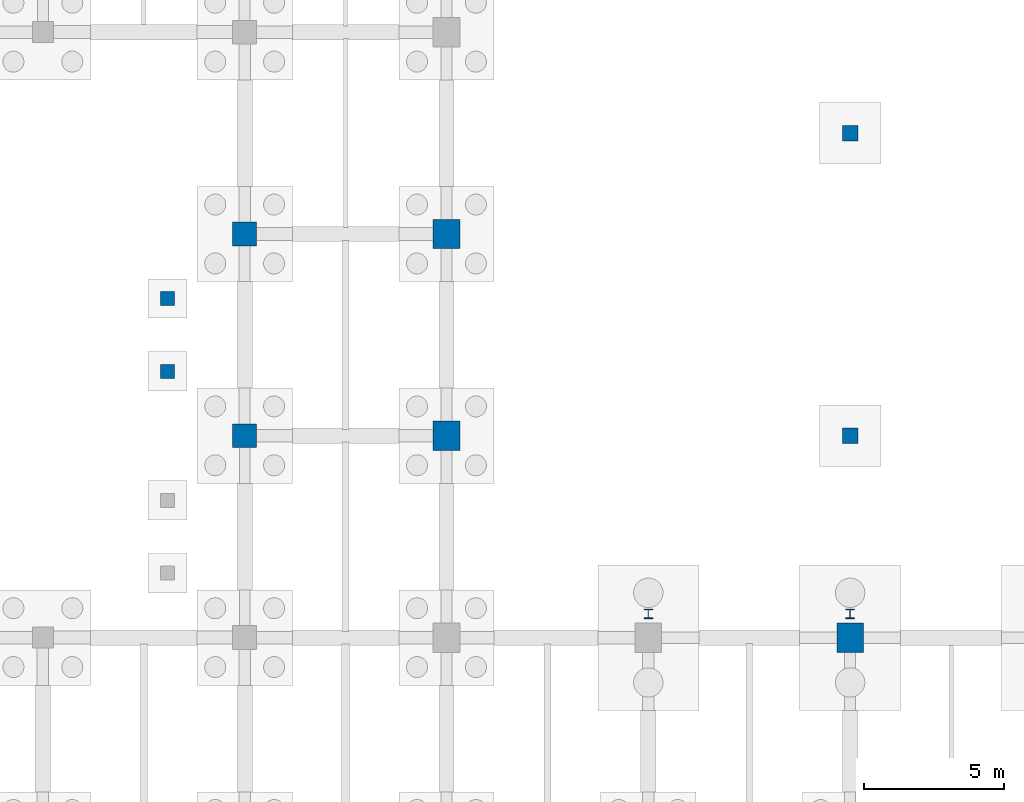
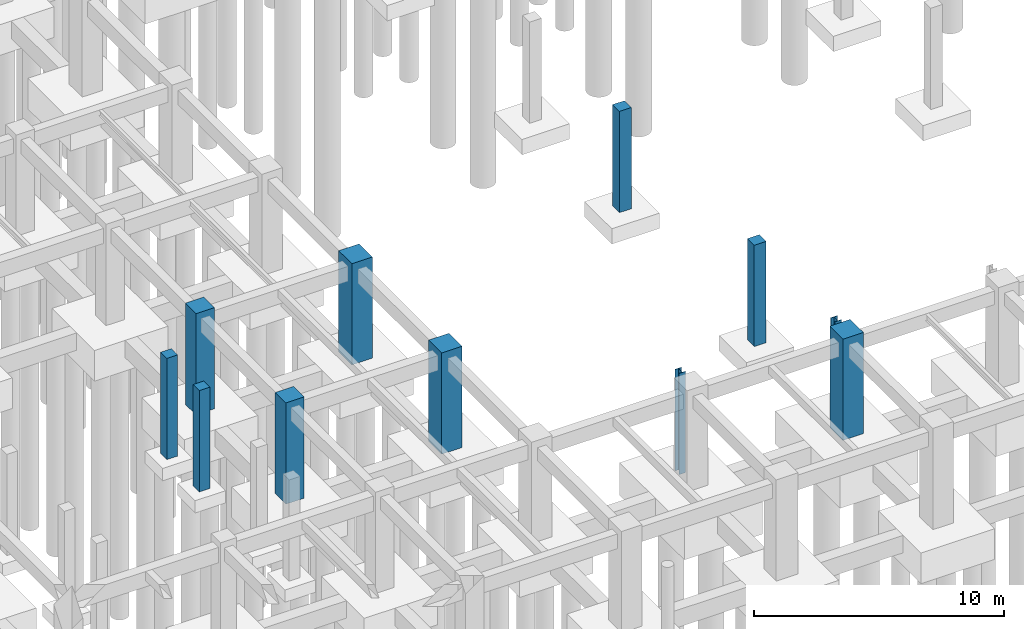
# One storey, part 15 of 47: 11 columns.
"""IFC4 building model written with IfcOpenShell, lengths in metres."""

from ifc_helpers import new_model, si_unit, direction, frame, origin, origin_2d, place, context, subcontext, project, spatial, rectangle, i_section, extrude, material, material_profile, profile_set, type_object, element, save


model = new_model("IFC4")

# Units and contexts
model_context = context("Model", 3, precision=1e-05, world=origin(), true_north=direction((0.0, 1.0)))
body_context = subcontext(model_context, "Body", "Model", "MODEL_VIEW")
ifc_project = project(units=[si_unit("LENGTHUNIT", "METRE"), si_unit("AREAUNIT", "SQUARE_METRE"), si_unit("VOLUMEUNIT", "CUBIC_METRE"), si_unit("PLANEANGLEUNIT", "RADIAN"), si_unit("MASSUNIT", "GRAM", prefix="KILO")], contexts=[model_context])

# Site, building, storey
site_placement = place(None, origin())
site = spatial("IfcSite", under=ifc_project, at=site_placement, CompositionType="ELEMENT")
building_placement = place(site_placement, origin())
building = spatial("IfcBuilding", under=site, at=building_placement, Name="Thalmaran Polytechnic", CompositionType="ELEMENT")
storey_placement = place(building_placement, frame((0.0, 0.0, -4.5)))
storey = spatial("IfcBuildingStorey", under=building, at=storey_placement, Name="B1", CompositionType="ELEMENT", Elevation=-4.5)

# Columns
ifc_material_1 = material(Name="Concrete C50/60", Category="concrete")
ifc_material_profile_1 = material_profile(ifc_material_1, rectangle(XDim=0.85009765625, YDim=0.85009765625, at=origin_2d()), Name="RC 850x850")
ifc_profile_set_1 = profile_set([ifc_material_profile_1], Name="Concrete C50/60")
column_type_1 = type_object("IfcColumnType", Name="COL-C02", PredefinedType="COLUMN", material=ifc_profile_set_1)
for number, where, z_axis, x_axis, name in (
    (1, (100.800048828125, 14.39990234375, -0.449951171875), (0.0, 0.0, 1.0), (1.0, 0.0, 0.0), "Column C02 B1 (14,2)"),
    (2, (100.800048828125, 21.60009765625, -0.449951171875), (0.0, 0.0, 1.0), (1.0, 0.0, 0.0), "Column C02 B1 (14,3)"),
):
    element("IfcColumn", number, at=place(storey_placement, frame(where, z_axis=z_axis, x_axis=x_axis)), inside=storey, type_object=column_type_1, Name=name, PredefinedType="COLUMN", context=body_context, shape_type="SweptSolid", body=[
        extrude(rectangle(XDim=0.85009765625, YDim=0.85009765625, at=origin_2d()), origin(), (0.0, 0.0, 1.0), 4.949951171875),
    ])
ifc_material_2 = material(Name="Concrete C40/50", Category="concrete")
ifc_material_profile_2 = material_profile(ifc_material_2, rectangle(XDim=0.550048828125, YDim=0.550048828125, at=origin_2d()), Name="RC 550x550")
ifc_profile_set_2 = profile_set([ifc_material_profile_2], Name="Concrete C40/50")
column_type_2 = type_object("IfcColumnType", Name="COL-C08", PredefinedType="COLUMN", material=ifc_profile_set_2)
for number, where, z_axis, x_axis, name in (
    (3, (122.39990234375, 14.39990234375, -0.449951171875), (0.0, 0.0, 1.0), (1.0, 0.0, 0.0), "POD1 Foundation Pedestal"),
    (4, (122.39990234375, 25.199951171875, -0.449951171875), (0.0, 0.0, 1.0), (1.0, 0.0, 0.0), "POD1 Foundation Pedestal"),
):
    element("IfcColumn", number, at=place(storey_placement, frame(where, z_axis=z_axis, x_axis=x_axis)), inside=storey, type_object=column_type_2, Name=name, PredefinedType="COLUMN", context=body_context, shape_type="SweptSolid", body=[
        extrude(rectangle(XDim=0.550048828125, YDim=0.550048828125, at=origin_2d()), origin(), (0.0, 0.0, 1.0), 4.949951171875),
    ])
ifc_material_profile_3 = material_profile(ifc_material_2, rectangle(XDim=0.5, YDim=0.5, at=origin_2d()), Name="RC 500x500")
ifc_profile_set_3 = profile_set([ifc_material_profile_3], Name="Concrete C40/50")
column_type_3 = type_object("IfcColumnType", Name="COL-C09", PredefinedType="COLUMN", material=ifc_profile_set_3)
for number, where, z_axis, x_axis, name in (
    (5, (98.050048828125, 16.699951171875, -0.449951171875), (0.0, 0.0, 1.0), (1.0, 0.0, 0.0), "Lecture Tier Pedestal B1 2-2"),
    (6, (98.050048828125, 19.300048828125, -0.449951171875), (0.0, 0.0, 1.0), (1.0, 0.0, 0.0), "Lecture Tier Pedestal B1 2-2"),
):
    element("IfcColumn", number, at=place(storey_placement, frame(where, z_axis=z_axis, x_axis=x_axis)), inside=storey, type_object=column_type_3, Name=name, PredefinedType="COLUMN", context=body_context, shape_type="SweptSolid", body=[
        extrude(rectangle(XDim=0.5, YDim=0.5, at=origin_2d()), origin(), (0.0, 0.0, 1.0), 4.949951171875),
    ])
ifc_material_3 = material(Name="Steel S355", Category="steel")
ifc_material_profile_4 = material_profile(ifc_material_3, i_section(OverallWidth=0.300048828125, OverallDepth=0.340087890625, WebThickness=0.011962890625, FlangeThickness=0.021484375, at=origin_2d()), Name="HEB 340")
ifc_profile_set_4 = profile_set([ifc_material_profile_4], Name="Steel S355")
column_type_4 = type_object("IfcColumnType", Name="COL-SC1", PredefinedType="COLUMN", material=ifc_profile_set_4)
for number, where, z_axis, x_axis, name in (
    (7, (115.199951171875, 8.050048828125, -0.449951171875), (0.0, 0.0, 1.0), (1.0, 0.0, 0.0), "Workshop Crane Runway Column B1 (16,1)"),
    (8, (122.39990234375, 8.050048828125, -0.449951171875), (0.0, 0.0, 1.0), (1.0, 0.0, 0.0), "Workshop Crane Runway Column B1 (17,1)"),
):
    element("IfcColumn", number, at=place(storey_placement, frame(where, z_axis=z_axis, x_axis=x_axis)), inside=storey, type_object=column_type_4, Name=name, PredefinedType="COLUMN", context=body_context, shape_type="SweptSolid", body=[
        extrude(i_section(OverallWidth=0.300048828125, OverallDepth=0.340087890625, WebThickness=0.011962890625, FlangeThickness=0.021484375, at=origin_2d()), origin(), (0.0, 0.0, 1.0), 4.949951171875),
    ])
ifc_material_profile_5 = material_profile(ifc_material_1, rectangle(XDim=0.949951171875, YDim=1.050048828125, at=origin_2d()), Name="RC 950x1050")
ifc_profile_set_5 = profile_set([ifc_material_profile_5], Name="Concrete C50/60")
column_type_5 = type_object("IfcColumnType", Name="COL-WP2", PredefinedType="COLUMN", material=ifc_profile_set_5)
for number, where, z_axis, x_axis, name in (
    (9, (108.0, 14.39990234375, -0.449951171875), (0.0, 0.0, 1.0), (1.0, 0.0, 0.0), "Column WP2 B1 (15,2)"),
    (10, (108.0, 21.60009765625, -0.449951171875), (0.0, 0.0, 1.0), (1.0, 0.0, 0.0), "Column WP2 B1 (15,3)"),
    (11, (122.39990234375, 7.199951171875, -0.449951171875), (0.0, 0.0, 1.0), (1.0, 0.0, 0.0), "Column WP2 B1 (17,1)"),
):
    element("IfcColumn", number, at=place(storey_placement, frame(where, z_axis=z_axis, x_axis=x_axis)), inside=storey, type_object=column_type_5, Name=name, PredefinedType="COLUMN", context=body_context, shape_type="SweptSolid", body=[
        extrude(rectangle(XDim=0.949951171875, YDim=1.050048828125, at=origin_2d()), origin(), (0.0, 0.0, 1.0), 4.949951171875),
    ])

save(model, "model.ifc")
